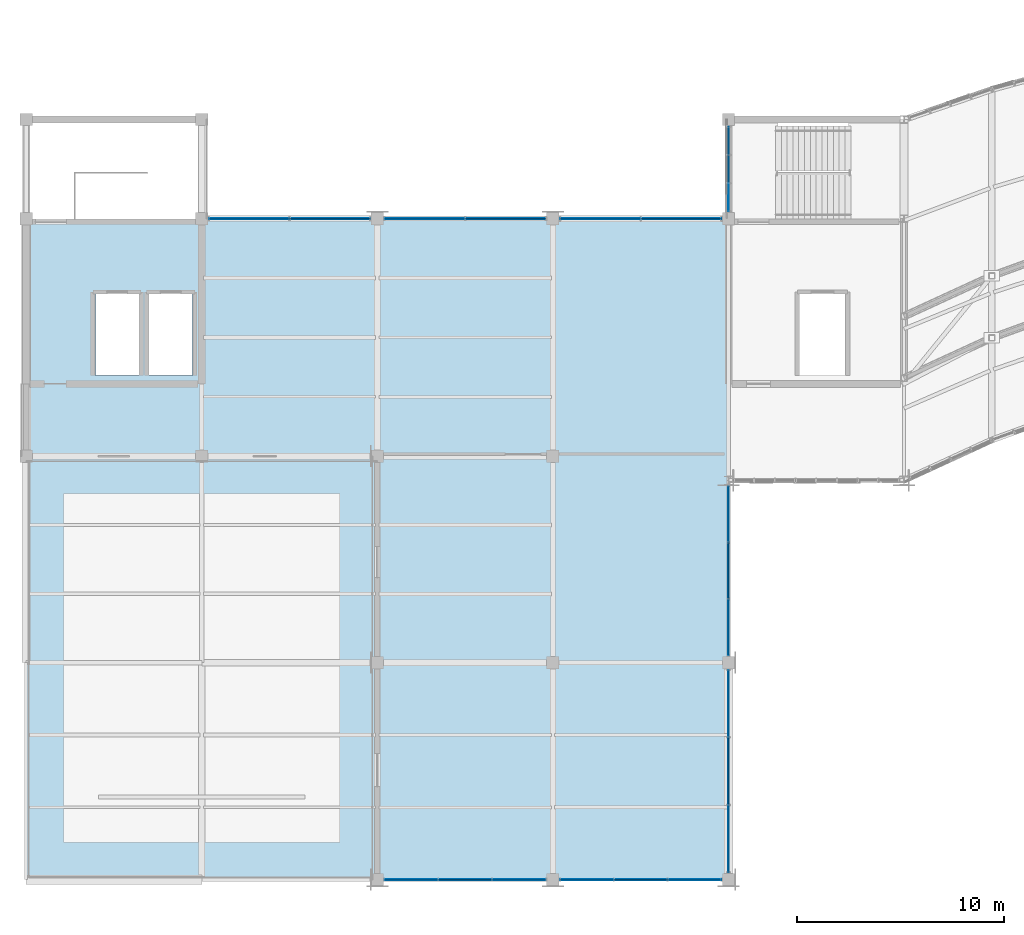
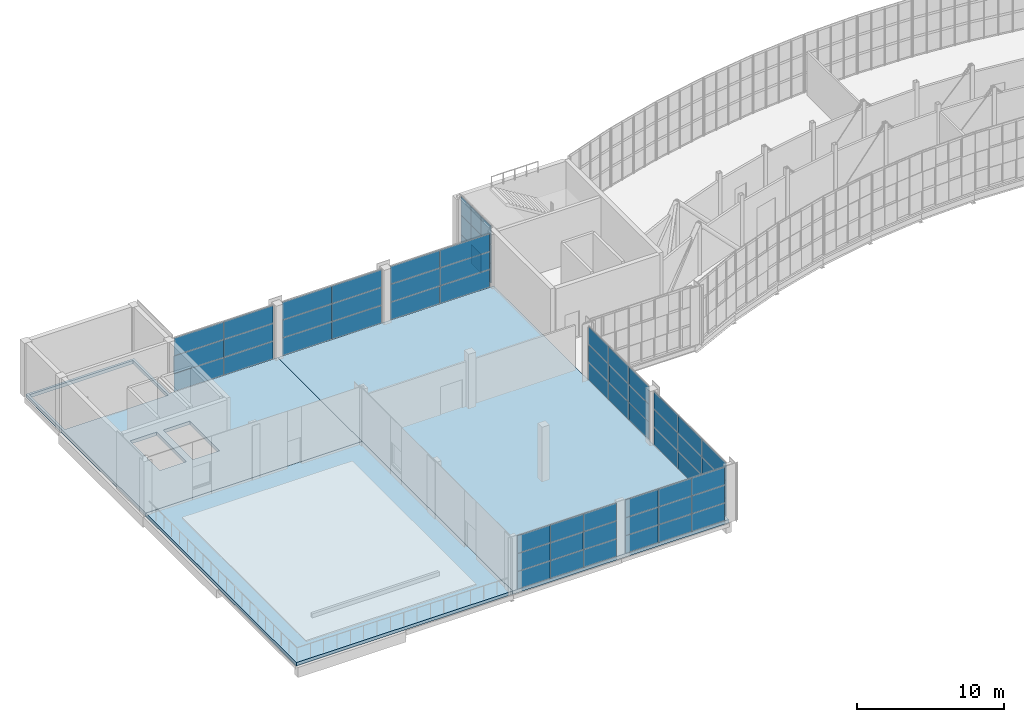
# One storey, part 33 of 46: 63 plates, 3 slabs, 8 elements without a shape of their own.
"""IFC4 building model written with IfcOpenShell, lengths in metres."""

from ifc_helpers import new_model, si_unit, direction, frame, origin, origin_2d, place, context, subcontext, project, spatial, polyline, rectangle, outline, extrude, material, layer, layer_set, type_object, element, aggregate, save


model = new_model("IFC4")

# Units and contexts
model_context = context("Model", 3, precision=1e-05, world=origin(), true_north=direction((0.0, 1.0)))
body_context = subcontext(model_context, "Body", "Model", "MODEL_VIEW")
ifc_project = project(units=[si_unit("LENGTHUNIT", "METRE"), si_unit("AREAUNIT", "SQUARE_METRE"), si_unit("VOLUMEUNIT", "CUBIC_METRE"), si_unit("PLANEANGLEUNIT", "RADIAN"), si_unit("MASSUNIT", "GRAM", prefix="KILO")], contexts=[model_context])

# Site, building, storey
site_placement = place(None, origin())
site = spatial("IfcSite", under=ifc_project, at=site_placement, CompositionType="ELEMENT")
building_placement = place(site_placement, origin())
building = spatial("IfcBuilding", under=site, at=building_placement, Name="Solvikara Media Centre", CompositionType="ELEMENT")
storey_placement = place(building_placement, frame((0.0, 0.0, 24.60009765625)))
storey = spatial("IfcBuildingStorey", under=building, at=storey_placement, Name="L05", CompositionType="ELEMENT", Elevation=24.60009765625)

# Curtain wall, plates
ifc_material_1 = material(Name="Anodised aluminium EN AW-6063", Category="aluminium")
curtain_wall_type_1 = type_object("IfcCurtainWallType", Name="CW-10", PredefinedType="NOTDEFINED", material=ifc_material_1)
curtain_wall_1_placement = place(storey_placement, origin())
curtain_wall_1 = element("IfcCurtainWall", 1, at=curtain_wall_1_placement, inside=storey, type_object=curtain_wall_type_1, Name="CW-L05-BHWN", PredefinedType="NOTDEFINED")
ifc_material_2 = material(Name="Laminated solar-control cyan vision glass", Category="glass")
ifc_layer_1 = layer(ifc_material_2, 0.035888671875)
ifc_layer_set_1 = layer_set([ifc_layer_1], Name="Laminated solar-control cyan vision glass")
plate_type_1 = type_object("IfcPlateType", Name="PN-01", PredefinedType="CURTAIN_PANEL", material=ifc_layer_set_1)
plate_1_placement = place(storey_placement, frame((68.0, 33.027099609375, 3.20849609375), z_axis=(0.0, 0.0, 1.0), x_axis=(0.0, 1.0, 0.0)))
plate_1 = element("IfcPlate", 2, at=plate_1_placement, type_object=plate_type_1, Name="CW-L05-BHWN-P0002", PredefinedType="CURTAIN_PANEL", context=body_context, shape_type="SweptSolid", body=[
    extrude(rectangle(XDim=1.343017578125, YDim=0.035888671875, at=origin_2d()), origin(), (0.0, 0.0, 1.0), 1.556884765625),
])
plate_2_placement = place(storey_placement, frame((68.0, 34.39990234375, 0.03466796875), z_axis=(0.0, 0.0, 1.0), x_axis=(0.0, 1.0, 0.0)))
plate_2 = element("IfcPlate", 3, at=plate_2_placement, type_object=plate_type_1, Name="CW-L05-BHWN-P0100", PredefinedType="CURTAIN_PANEL", context=body_context, shape_type="SweptSolid", body=[
    extrude(rectangle(XDim=1.343017578125, YDim=0.035888671875, at=origin_2d()), origin(), (0.0, 0.0, 1.0), 1.556884765625),
])
plate_3_placement = place(storey_placement, frame((68.0, 34.39990234375, 3.20849609375), z_axis=(0.0, 0.0, 1.0), x_axis=(0.0, 1.0, 0.0)))
plate_3 = element("IfcPlate", 4, at=plate_3_placement, type_object=plate_type_1, Name="CW-L05-BHWN-P0102", PredefinedType="CURTAIN_PANEL", context=body_context, shape_type="SweptSolid", body=[
    extrude(rectangle(XDim=1.343017578125, YDim=0.035888671875, at=origin_2d()), origin(), (0.0, 0.0, 1.0), 1.556884765625),
])
plate_4_placement = place(storey_placement, frame((68.0, 35.77294921875, 1.62158203125), z_axis=(0.0, 0.0, 1.0), x_axis=(0.0, 1.0, 0.0)))
plate_4 = element("IfcPlate", 5, at=plate_4_placement, type_object=plate_type_1, Name="CW-L05-BHWN-P0201", PredefinedType="CURTAIN_PANEL", context=body_context, shape_type="SweptSolid", body=[
    extrude(rectangle(XDim=1.343017578125, YDim=0.035888671875, at=origin_2d()), origin(), (0.0, 0.0, 1.0), 1.556884765625),
])
plate_5_placement = place(storey_placement, frame((68.0, 35.77294921875, 3.20849609375), z_axis=(0.0, 0.0, 1.0), x_axis=(0.0, 1.0, 0.0)))
plate_5 = element("IfcPlate", 6, at=plate_5_placement, type_object=plate_type_1, Name="CW-L05-BHWN-P0202", PredefinedType="CURTAIN_PANEL", context=body_context, shape_type="SweptSolid", body=[
    extrude(rectangle(XDim=1.343017578125, YDim=0.035888671875, at=origin_2d()), origin(), (0.0, 0.0, 1.0), 1.556884765625),
])
ifc_material_3 = material(Name="Ceramic-fritted teal low-E glass", Category="glass")
ifc_layer_2 = layer(ifc_material_3, 0.0419921875)
ifc_layer_set_2 = layer_set([ifc_layer_2], Name="Ceramic-fritted teal low-E glass")
plate_type_2 = type_object("IfcPlateType", Name="PN-02", PredefinedType="CURTAIN_PANEL", material=ifc_layer_set_2)
plate_6_placement = place(storey_placement, frame((68.0, 33.027099609375, 0.03466796875), z_axis=(0.0, 0.0, 1.0), x_axis=(0.0, 1.0, 0.0)))
plate_6 = element("IfcPlate", 7, at=plate_6_placement, type_object=plate_type_2, Name="CW-L05-BHWN-P0000", PredefinedType="CURTAIN_PANEL", context=body_context, shape_type="SweptSolid", body=[
    extrude(rectangle(XDim=1.343017578125, YDim=0.0419921875, at=origin_2d()), origin(), (0.0, 0.0, 1.0), 1.556884765625),
])
plate_7_placement = place(storey_placement, frame((68.0, 33.027099609375, 1.62158203125), z_axis=(0.0, 0.0, 1.0), x_axis=(0.0, 1.0, 0.0)))
plate_7 = element("IfcPlate", 8, at=plate_7_placement, type_object=plate_type_2, Name="CW-L05-BHWN-P0001", PredefinedType="CURTAIN_PANEL", context=body_context, shape_type="SweptSolid", body=[
    extrude(rectangle(XDim=1.343017578125, YDim=0.0419921875, at=origin_2d()), origin(), (0.0, 0.0, 1.0), 1.556884765625),
])
ifc_material_4 = material(Name="Insulated silver-pearl glass spandrel panel", Category="glass")
ifc_layer_3 = layer(ifc_material_4, 0.054931640625)
ifc_layer_set_3 = layer_set([ifc_layer_3], Name="Insulated silver-pearl glass spandrel panel")
plate_type_3 = type_object("IfcPlateType", Name="PN-03", PredefinedType="CURTAIN_PANEL", material=ifc_layer_set_3)
plate_8_placement = place(storey_placement, frame((68.0, 34.39990234375, 1.62158203125), z_axis=(0.0, 0.0, 1.0), x_axis=(0.0, 1.0, 0.0)))
plate_8 = element("IfcPlate", 9, at=plate_8_placement, type_object=plate_type_3, Name="CW-L05-BHWN-P0101", PredefinedType="CURTAIN_PANEL", context=body_context, shape_type="SweptSolid", body=[
    extrude(rectangle(XDim=1.343017578125, YDim=0.054931640625, at=origin_2d()), origin(), (0.0, 0.0, 1.0), 1.556884765625),
])
plate_9_placement = place(storey_placement, frame((68.0, 35.77294921875, 0.03466796875), z_axis=(0.0, 0.0, 1.0), x_axis=(0.0, 1.0, 0.0)))
plate_9 = element("IfcPlate", 10, at=plate_9_placement, type_object=plate_type_3, Name="CW-L05-BHWN-P0200", PredefinedType="CURTAIN_PANEL", context=body_context, shape_type="SweptSolid", body=[
    extrude(rectangle(XDim=1.343017578125, YDim=0.054931640625, at=origin_2d()), origin(), (0.0, 0.0, 1.0), 1.556884765625),
])
aggregate(curtain_wall_1, [plate_6, plate_7, plate_1, plate_2, plate_8, plate_3, plate_9, plate_4, plate_5])

curtain_wall_type_2 = type_object("IfcCurtainWallType", Name="CW-09", PredefinedType="NOTDEFINED", material=ifc_material_1)
curtain_wall_2_placement = place(storey_placement, origin())
curtain_wall_2 = element("IfcCurtainWall", 11, at=curtain_wall_2_placement, inside=storey, type_object=curtain_wall_type_2, Name="CW-L05-V6S-S1", PredefinedType="NOTDEFINED")
ifc_layer_4 = layer(ifc_material_3, 0.0380859375)
ifc_layer_set_4 = layer_set([ifc_layer_4], Name="Ceramic-fritted teal low-E glass")
plate_type_4 = type_object("IfcPlateType", Name="PN-08", PredefinedType="CURTAIN_PANEL", material=ifc_layer_set_4)
plate_10_placement = place(storey_placement, frame((52.64306640625, 0.0, 0.034423828125), z_axis=(0.0, 0.0, 1.0), x_axis=(1.0, 0.0, 0.0)))
plate_10 = element("IfcPlate", 12, at=plate_10_placement, type_object=plate_type_4, Name="CW-L05-V6S-S1-P0000", PredefinedType="CURTAIN_PANEL", context=body_context, shape_type="SweptSolid", body=[
    extrude(rectangle(XDim=2.576904296875, YDim=0.0380859375, at=origin_2d()), origin(), (0.0, 0.0, 1.0), 1.45703125),
])
plate_11_placement = place(storey_placement, frame((52.64306640625, 0.0, 3.00830078125), z_axis=(0.0, 0.0, 1.0), x_axis=(1.0, 0.0, 0.0)))
plate_11 = element("IfcPlate", 13, at=plate_11_placement, type_object=plate_type_4, Name="CW-L05-V6S-S1-P0002", PredefinedType="CURTAIN_PANEL", context=body_context, shape_type="SweptSolid", body=[
    extrude(rectangle(XDim=2.576904296875, YDim=0.0380859375, at=origin_2d()), origin(), (0.0, 0.0, 1.0), 1.45703125),
])
plate_12_placement = place(storey_placement, frame((55.25, 0.0, 1.521484375), z_axis=(0.0, 0.0, 1.0), x_axis=(1.0, 0.0, 0.0)))
plate_12 = element("IfcPlate", 14, at=plate_12_placement, type_object=plate_type_4, Name="CW-L05-V6S-S1-P0101", PredefinedType="CURTAIN_PANEL", context=body_context, shape_type="SweptSolid", body=[
    extrude(rectangle(XDim=2.576904296875, YDim=0.0380859375, at=origin_2d()), origin(), (0.0, 0.0, 1.0), 1.45703125),
])
plate_13_placement = place(storey_placement, frame((57.85693359375, 0.0, 0.034423828125), z_axis=(0.0, 0.0, 1.0), x_axis=(1.0, 0.0, 0.0)))
plate_13 = element("IfcPlate", 15, at=plate_13_placement, type_object=plate_type_4, Name="CW-L05-V6S-S1-P0200", PredefinedType="CURTAIN_PANEL", context=body_context, shape_type="SweptSolid", body=[
    extrude(rectangle(XDim=2.576904296875, YDim=0.0380859375, at=origin_2d()), origin(), (0.0, 0.0, 1.0), 1.45703125),
])
plate_14_placement = place(storey_placement, frame((57.85693359375, 0.0, 3.00830078125), z_axis=(0.0, 0.0, 1.0), x_axis=(1.0, 0.0, 0.0)))
plate_14 = element("IfcPlate", 16, at=plate_14_placement, type_object=plate_type_4, Name="CW-L05-V6S-S1-P0202", PredefinedType="CURTAIN_PANEL", context=body_context, shape_type="SweptSolid", body=[
    extrude(rectangle(XDim=2.576904296875, YDim=0.0380859375, at=origin_2d()), origin(), (0.0, 0.0, 1.0), 1.45703125),
])

curtain_wall_3_placement = place(storey_placement, origin())
curtain_wall_3 = element("IfcCurtainWall", 17, at=curtain_wall_3_placement, inside=storey, type_object=curtain_wall_type_2, Name="CW-L05-V6S-S2", PredefinedType="NOTDEFINED")
plate_15_placement = place(storey_placement, frame((61.14306640625, 0.0, 0.034423828125), z_axis=(0.0, 0.0, 1.0), x_axis=(1.0, 0.0, 0.0)))
plate_15 = element("IfcPlate", 18, at=plate_15_placement, type_object=plate_type_4, Name="CW-L05-V6S-S2-P0000", PredefinedType="CURTAIN_PANEL", context=body_context, shape_type="SweptSolid", body=[
    extrude(rectangle(XDim=2.576904296875, YDim=0.0380859375, at=origin_2d()), origin(), (0.0, 0.0, 1.0), 1.45703125),
])
plate_16_placement = place(storey_placement, frame((61.14306640625, 0.0, 3.00830078125), z_axis=(0.0, 0.0, 1.0), x_axis=(1.0, 0.0, 0.0)))
plate_16 = element("IfcPlate", 19, at=plate_16_placement, type_object=plate_type_4, Name="CW-L05-V6S-S2-P0002", PredefinedType="CURTAIN_PANEL", context=body_context, shape_type="SweptSolid", body=[
    extrude(rectangle(XDim=2.576904296875, YDim=0.0380859375, at=origin_2d()), origin(), (0.0, 0.0, 1.0), 1.45703125),
])
plate_17_placement = place(storey_placement, frame((63.75, 0.0, 1.521484375), z_axis=(0.0, 0.0, 1.0), x_axis=(1.0, 0.0, 0.0)))
plate_17 = element("IfcPlate", 20, at=plate_17_placement, type_object=plate_type_4, Name="CW-L05-V6S-S2-P0101", PredefinedType="CURTAIN_PANEL", context=body_context, shape_type="SweptSolid", body=[
    extrude(rectangle(XDim=2.576904296875, YDim=0.0380859375, at=origin_2d()), origin(), (0.0, 0.0, 1.0), 1.45703125),
])
plate_18_placement = place(storey_placement, frame((66.35693359375, 0.0, 0.034423828125), z_axis=(0.0, 0.0, 1.0), x_axis=(1.0, 0.0, 0.0)))
plate_18 = element("IfcPlate", 21, at=plate_18_placement, type_object=plate_type_4, Name="CW-L05-V6S-S2-P0200", PredefinedType="CURTAIN_PANEL", context=body_context, shape_type="SweptSolid", body=[
    extrude(rectangle(XDim=2.576904296875, YDim=0.0380859375, at=origin_2d()), origin(), (0.0, 0.0, 1.0), 1.45703125),
])
plate_19_placement = place(storey_placement, frame((66.35693359375, 0.0, 3.00830078125), z_axis=(0.0, 0.0, 1.0), x_axis=(1.0, 0.0, 0.0)))
plate_19 = element("IfcPlate", 22, at=plate_19_placement, type_object=plate_type_4, Name="CW-L05-V6S-S2-P0202", PredefinedType="CURTAIN_PANEL", context=body_context, shape_type="SweptSolid", body=[
    extrude(rectangle(XDim=2.576904296875, YDim=0.0380859375, at=origin_2d()), origin(), (0.0, 0.0, 1.0), 1.45703125),
])

curtain_wall_4_placement = place(storey_placement, origin())
curtain_wall_4 = element("IfcCurtainWall", 23, at=curtain_wall_4_placement, inside=storey, type_object=curtain_wall_type_2, Name="CW-L05-V6E-S1", PredefinedType="NOTDEFINED")
plate_20_placement = place(storey_placement, frame((68.0, 1.97705078125, 0.034423828125), z_axis=(0.0, 0.0, 1.0), x_axis=(0.0, 1.0, 0.0)))
plate_20 = element("IfcPlate", 24, at=plate_20_placement, type_object=plate_type_4, Name="CW-L05-V6E-S1-P0000", PredefinedType="CURTAIN_PANEL", context=body_context, shape_type="SweptSolid", body=[
    extrude(rectangle(XDim=3.242919921875, YDim=0.0380859375, at=origin_2d()), origin(), (0.0, 0.0, 1.0), 1.45703125),
])
plate_21_placement = place(storey_placement, frame((68.0, 1.97705078125, 3.00830078125), z_axis=(0.0, 0.0, 1.0), x_axis=(0.0, 1.0, 0.0)))
plate_21 = element("IfcPlate", 25, at=plate_21_placement, type_object=plate_type_4, Name="CW-L05-V6E-S1-P0002", PredefinedType="CURTAIN_PANEL", context=body_context, shape_type="SweptSolid", body=[
    extrude(rectangle(XDim=3.242919921875, YDim=0.0380859375, at=origin_2d()), origin(), (0.0, 0.0, 1.0), 1.45703125),
])
plate_22_placement = place(storey_placement, frame((68.0, 5.25, 1.521484375), z_axis=(0.0, 0.0, 1.0), x_axis=(0.0, 1.0, 0.0)))
plate_22 = element("IfcPlate", 26, at=plate_22_placement, type_object=plate_type_4, Name="CW-L05-V6E-S1-P0101", PredefinedType="CURTAIN_PANEL", context=body_context, shape_type="SweptSolid", body=[
    extrude(rectangle(XDim=3.242919921875, YDim=0.0380859375, at=origin_2d()), origin(), (0.0, 0.0, 1.0), 1.45703125),
])
plate_23_placement = place(storey_placement, frame((68.0, 8.52294921875, 0.034423828125), z_axis=(0.0, 0.0, 1.0), x_axis=(0.0, 1.0, 0.0)))
plate_23 = element("IfcPlate", 27, at=plate_23_placement, type_object=plate_type_4, Name="CW-L05-V6E-S1-P0200", PredefinedType="CURTAIN_PANEL", context=body_context, shape_type="SweptSolid", body=[
    extrude(rectangle(XDim=3.242919921875, YDim=0.0380859375, at=origin_2d()), origin(), (0.0, 0.0, 1.0), 1.45703125),
])
plate_24_placement = place(storey_placement, frame((68.0, 8.52294921875, 3.00830078125), z_axis=(0.0, 0.0, 1.0), x_axis=(0.0, 1.0, 0.0)))
plate_24 = element("IfcPlate", 28, at=plate_24_placement, type_object=plate_type_4, Name="CW-L05-V6E-S1-P0202", PredefinedType="CURTAIN_PANEL", context=body_context, shape_type="SweptSolid", body=[
    extrude(rectangle(XDim=3.242919921875, YDim=0.0380859375, at=origin_2d()), origin(), (0.0, 0.0, 1.0), 1.45703125),
])

curtain_wall_5_placement = place(storey_placement, origin())
curtain_wall_5 = element("IfcCurtainWall", 29, at=curtain_wall_5_placement, inside=storey, type_object=curtain_wall_type_2, Name="CW-L05-V6E-S2", PredefinedType="NOTDEFINED")
plate_25_placement = place(storey_placement, frame((68.0, 12.2119140625, 0.034423828125), z_axis=(0.0, 0.0, 1.0), x_axis=(0.0, 1.0, 0.0)))
plate_25 = element("IfcPlate", 30, at=plate_25_placement, type_object=plate_type_4, Name="CW-L05-V6E-S2-P0000", PredefinedType="CURTAIN_PANEL", context=body_context, shape_type="SweptSolid", body=[
    extrude(rectangle(XDim=2.712890625, YDim=0.0380859375, at=origin_2d()), origin(), (0.0, 0.0, 1.0), 1.45703125),
])
plate_26_placement = place(storey_placement, frame((68.0, 12.2119140625, 3.00830078125), z_axis=(0.0, 0.0, 1.0), x_axis=(0.0, 1.0, 0.0)))
plate_26 = element("IfcPlate", 31, at=plate_26_placement, type_object=plate_type_4, Name="CW-L05-V6E-S2-P0002", PredefinedType="CURTAIN_PANEL", context=body_context, shape_type="SweptSolid", body=[
    extrude(rectangle(XDim=2.712890625, YDim=0.0380859375, at=origin_2d()), origin(), (0.0, 0.0, 1.0), 1.45703125),
])
plate_27_placement = place(storey_placement, frame((68.0, 14.955078125, 1.521484375), z_axis=(0.0, 0.0, 1.0), x_axis=(0.0, 1.0, 0.0)))
plate_27 = element("IfcPlate", 32, at=plate_27_placement, type_object=plate_type_4, Name="CW-L05-V6E-S2-P0101", PredefinedType="CURTAIN_PANEL", context=body_context, shape_type="SweptSolid", body=[
    extrude(rectangle(XDim=2.712890625, YDim=0.0380859375, at=origin_2d()), origin(), (0.0, 0.0, 1.0), 1.45703125),
])
plate_28_placement = place(storey_placement, frame((68.0, 17.697998046875, 0.034423828125), z_axis=(0.0, 0.0, 1.0), x_axis=(0.0, 1.0, 0.0)))
plate_28 = element("IfcPlate", 33, at=plate_28_placement, type_object=plate_type_4, Name="CW-L05-V6E-S2-P0200", PredefinedType="CURTAIN_PANEL", context=body_context, shape_type="SweptSolid", body=[
    extrude(rectangle(XDim=2.712890625, YDim=0.0380859375, at=origin_2d()), origin(), (0.0, 0.0, 1.0), 1.45703125),
])
plate_29_placement = place(storey_placement, frame((68.0, 17.697998046875, 3.00830078125), z_axis=(0.0, 0.0, 1.0), x_axis=(0.0, 1.0, 0.0)))
plate_29 = element("IfcPlate", 34, at=plate_29_placement, type_object=plate_type_4, Name="CW-L05-V6E-S2-P0202", PredefinedType="CURTAIN_PANEL", context=body_context, shape_type="SweptSolid", body=[
    extrude(rectangle(XDim=2.712890625, YDim=0.0380859375, at=origin_2d()), origin(), (0.0, 0.0, 1.0), 1.45703125),
])

curtain_wall_6_placement = place(storey_placement, origin())
curtain_wall_6 = element("IfcCurtainWall", 35, at=curtain_wall_6_placement, inside=storey, type_object=curtain_wall_type_2, Name="CW-L05-V6N-S1", PredefinedType="NOTDEFINED")
plate_30_placement = place(storey_placement, frame((44.794921875, 32.0, 0.034423828125), z_axis=(0.0, 0.0, 1.0), x_axis=(1.0, 0.0, 0.0)))
plate_30 = element("IfcPlate", 36, at=plate_30_placement, type_object=plate_type_4, Name="CW-L05-V6N-S1-P0000", PredefinedType="CURTAIN_PANEL", context=body_context, shape_type="SweptSolid", body=[
    extrude(rectangle(XDim=3.8798828125, YDim=0.0380859375, at=origin_2d()), origin(), (0.0, 0.0, 1.0), 1.45703125),
])
plate_31_placement = place(storey_placement, frame((44.794921875, 32.0, 3.00830078125), z_axis=(0.0, 0.0, 1.0), x_axis=(1.0, 0.0, 0.0)))
plate_31 = element("IfcPlate", 37, at=plate_31_placement, type_object=plate_type_4, Name="CW-L05-V6N-S1-P0002", PredefinedType="CURTAIN_PANEL", context=body_context, shape_type="SweptSolid", body=[
    extrude(rectangle(XDim=3.8798828125, YDim=0.0380859375, at=origin_2d()), origin(), (0.0, 0.0, 1.0), 1.45703125),
])
plate_32_placement = place(storey_placement, frame((48.705078125, 32.0, 1.521484375), z_axis=(0.0, 0.0, 1.0), x_axis=(1.0, 0.0, 0.0)))
plate_32 = element("IfcPlate", 38, at=plate_32_placement, type_object=plate_type_4, Name="CW-L05-V6N-S1-P0101", PredefinedType="CURTAIN_PANEL", context=body_context, shape_type="SweptSolid", body=[
    extrude(rectangle(XDim=3.8798828125, YDim=0.0380859375, at=origin_2d()), origin(), (0.0, 0.0, 1.0), 1.45703125),
])

curtain_wall_7_placement = place(storey_placement, origin())
curtain_wall_7 = element("IfcCurtainWall", 39, at=curtain_wall_7_placement, inside=storey, type_object=curtain_wall_type_2, Name="CW-L05-V6N-S2", PredefinedType="NOTDEFINED")
plate_33_placement = place(storey_placement, frame((53.294921875, 32.0, 0.034423828125), z_axis=(0.0, 0.0, 1.0), x_axis=(1.0, 0.0, 0.0)))
plate_33 = element("IfcPlate", 40, at=plate_33_placement, type_object=plate_type_4, Name="CW-L05-V6N-S2-P0000", PredefinedType="CURTAIN_PANEL", context=body_context, shape_type="SweptSolid", body=[
    extrude(rectangle(XDim=3.8798828125, YDim=0.0380859375, at=origin_2d()), origin(), (0.0, 0.0, 1.0), 1.45703125),
])
plate_34_placement = place(storey_placement, frame((53.294921875, 32.0, 3.00830078125), z_axis=(0.0, 0.0, 1.0), x_axis=(1.0, 0.0, 0.0)))
plate_34 = element("IfcPlate", 41, at=plate_34_placement, type_object=plate_type_4, Name="CW-L05-V6N-S2-P0002", PredefinedType="CURTAIN_PANEL", context=body_context, shape_type="SweptSolid", body=[
    extrude(rectangle(XDim=3.8798828125, YDim=0.0380859375, at=origin_2d()), origin(), (0.0, 0.0, 1.0), 1.45703125),
])
plate_35_placement = place(storey_placement, frame((57.205078125, 32.0, 1.521484375), z_axis=(0.0, 0.0, 1.0), x_axis=(1.0, 0.0, 0.0)))
plate_35 = element("IfcPlate", 42, at=plate_35_placement, type_object=plate_type_4, Name="CW-L05-V6N-S2-P0101", PredefinedType="CURTAIN_PANEL", context=body_context, shape_type="SweptSolid", body=[
    extrude(rectangle(XDim=3.8798828125, YDim=0.0380859375, at=origin_2d()), origin(), (0.0, 0.0, 1.0), 1.45703125),
])

curtain_wall_8_placement = place(storey_placement, origin())
curtain_wall_8 = element("IfcCurtainWall", 43, at=curtain_wall_8_placement, inside=storey, type_object=curtain_wall_type_2, Name="CW-L05-V6N-S3", PredefinedType="NOTDEFINED")
plate_36_placement = place(storey_placement, frame((61.794921875, 32.0, 0.034423828125), z_axis=(0.0, 0.0, 1.0), x_axis=(1.0, 0.0, 0.0)))
plate_36 = element("IfcPlate", 44, at=plate_36_placement, type_object=plate_type_4, Name="CW-L05-V6N-S3-P0000", PredefinedType="CURTAIN_PANEL", context=body_context, shape_type="SweptSolid", body=[
    extrude(rectangle(XDim=3.8798828125, YDim=0.0380859375, at=origin_2d()), origin(), (0.0, 0.0, 1.0), 1.45703125),
])
plate_37_placement = place(storey_placement, frame((61.794921875, 32.0, 3.00830078125), z_axis=(0.0, 0.0, 1.0), x_axis=(1.0, 0.0, 0.0)))
plate_37 = element("IfcPlate", 45, at=plate_37_placement, type_object=plate_type_4, Name="CW-L05-V6N-S3-P0002", PredefinedType="CURTAIN_PANEL", context=body_context, shape_type="SweptSolid", body=[
    extrude(rectangle(XDim=3.8798828125, YDim=0.0380859375, at=origin_2d()), origin(), (0.0, 0.0, 1.0), 1.45703125),
])
plate_38_placement = place(storey_placement, frame((65.705078125, 32.0, 1.521484375), z_axis=(0.0, 0.0, 1.0), x_axis=(1.0, 0.0, 0.0)))
plate_38 = element("IfcPlate", 46, at=plate_38_placement, type_object=plate_type_4, Name="CW-L05-V6N-S3-P0101", PredefinedType="CURTAIN_PANEL", context=body_context, shape_type="SweptSolid", body=[
    extrude(rectangle(XDim=3.8798828125, YDim=0.0380859375, at=origin_2d()), origin(), (0.0, 0.0, 1.0), 1.45703125),
])

# Plate
ifc_layer_5 = layer(ifc_material_4, 0.054931640625)
ifc_layer_set_5 = layer_set([ifc_layer_5], Name="Insulated silver-pearl glass spandrel panel")
plate_type_5 = type_object("IfcPlateType", Name="PN-09", PredefinedType="CURTAIN_PANEL", material=ifc_layer_set_5)
plate_39_placement = place(storey_placement, frame((52.64306640625, 0.0, 1.521484375), z_axis=(0.0, 0.0, 1.0), x_axis=(1.0, 0.0, 0.0)))
plate_39 = element("IfcPlate", 47, at=plate_39_placement, type_object=plate_type_5, Name="CW-L05-V6S-S1-P0001", PredefinedType="CURTAIN_PANEL", context=body_context, shape_type="SweptSolid", body=[
    extrude(rectangle(XDim=2.576904296875, YDim=0.054931640625, at=origin_2d()), origin(), (0.0, 0.0, 1.0), 1.45703125),
])

plate_40_placement = place(storey_placement, frame((55.25, 0.0, 0.034423828125), z_axis=(0.0, 0.0, 1.0), x_axis=(1.0, 0.0, 0.0)))
plate_40 = element("IfcPlate", 48, at=plate_40_placement, type_object=plate_type_5, Name="CW-L05-V6S-S1-P0100", PredefinedType="CURTAIN_PANEL", context=body_context, shape_type="SweptSolid", body=[
    extrude(rectangle(XDim=2.576904296875, YDim=0.054931640625, at=origin_2d()), origin(), (0.0, 0.0, 1.0), 1.45703125),
])

plate_41_placement = place(storey_placement, frame((55.25, 0.0, 3.00830078125), z_axis=(0.0, 0.0, 1.0), x_axis=(1.0, 0.0, 0.0)))
plate_41 = element("IfcPlate", 49, at=plate_41_placement, type_object=plate_type_5, Name="CW-L05-V6S-S1-P0102", PredefinedType="CURTAIN_PANEL", context=body_context, shape_type="SweptSolid", body=[
    extrude(rectangle(XDim=2.576904296875, YDim=0.054931640625, at=origin_2d()), origin(), (0.0, 0.0, 1.0), 1.45703125),
])

plate_42_placement = place(storey_placement, frame((57.85693359375, 0.0, 1.521484375), z_axis=(0.0, 0.0, 1.0), x_axis=(1.0, 0.0, 0.0)))
plate_42 = element("IfcPlate", 50, at=plate_42_placement, type_object=plate_type_5, Name="CW-L05-V6S-S1-P0201", PredefinedType="CURTAIN_PANEL", context=body_context, shape_type="SweptSolid", body=[
    extrude(rectangle(XDim=2.576904296875, YDim=0.054931640625, at=origin_2d()), origin(), (0.0, 0.0, 1.0), 1.45703125),
])

aggregate(curtain_wall_2, [plate_10, plate_39, plate_11, plate_40, plate_12, plate_41, plate_13, plate_42, plate_14])

plate_43_placement = place(storey_placement, frame((61.14306640625, 0.0, 1.521484375), z_axis=(0.0, 0.0, 1.0), x_axis=(1.0, 0.0, 0.0)))
plate_43 = element("IfcPlate", 51, at=plate_43_placement, type_object=plate_type_5, Name="CW-L05-V6S-S2-P0001", PredefinedType="CURTAIN_PANEL", context=body_context, shape_type="SweptSolid", body=[
    extrude(rectangle(XDim=2.576904296875, YDim=0.054931640625, at=origin_2d()), origin(), (0.0, 0.0, 1.0), 1.45703125),
])

plate_44_placement = place(storey_placement, frame((63.75, 0.0, 0.034423828125), z_axis=(0.0, 0.0, 1.0), x_axis=(1.0, 0.0, 0.0)))
plate_44 = element("IfcPlate", 52, at=plate_44_placement, type_object=plate_type_5, Name="CW-L05-V6S-S2-P0100", PredefinedType="CURTAIN_PANEL", context=body_context, shape_type="SweptSolid", body=[
    extrude(rectangle(XDim=2.576904296875, YDim=0.054931640625, at=origin_2d()), origin(), (0.0, 0.0, 1.0), 1.45703125),
])

plate_45_placement = place(storey_placement, frame((63.75, 0.0, 3.00830078125), z_axis=(0.0, 0.0, 1.0), x_axis=(1.0, 0.0, 0.0)))
plate_45 = element("IfcPlate", 53, at=plate_45_placement, type_object=plate_type_5, Name="CW-L05-V6S-S2-P0102", PredefinedType="CURTAIN_PANEL", context=body_context, shape_type="SweptSolid", body=[
    extrude(rectangle(XDim=2.576904296875, YDim=0.054931640625, at=origin_2d()), origin(), (0.0, 0.0, 1.0), 1.45703125),
])

plate_46_placement = place(storey_placement, frame((66.35693359375, 0.0, 1.521484375), z_axis=(0.0, 0.0, 1.0), x_axis=(1.0, 0.0, 0.0)))
plate_46 = element("IfcPlate", 54, at=plate_46_placement, type_object=plate_type_5, Name="CW-L05-V6S-S2-P0201", PredefinedType="CURTAIN_PANEL", context=body_context, shape_type="SweptSolid", body=[
    extrude(rectangle(XDim=2.576904296875, YDim=0.054931640625, at=origin_2d()), origin(), (0.0, 0.0, 1.0), 1.45703125),
])

aggregate(curtain_wall_3, [plate_15, plate_43, plate_16, plate_44, plate_17, plate_45, plate_18, plate_46, plate_19])

plate_47_placement = place(storey_placement, frame((68.0, 1.97705078125, 1.521484375), z_axis=(0.0, 0.0, 1.0), x_axis=(0.0, 1.0, 0.0)))
plate_47 = element("IfcPlate", 55, at=plate_47_placement, type_object=plate_type_5, Name="CW-L05-V6E-S1-P0001", PredefinedType="CURTAIN_PANEL", context=body_context, shape_type="SweptSolid", body=[
    extrude(rectangle(XDim=3.242919921875, YDim=0.054931640625, at=origin_2d()), origin(), (0.0, 0.0, 1.0), 1.45703125),
])

plate_48_placement = place(storey_placement, frame((68.0, 5.25, 0.034423828125), z_axis=(0.0, 0.0, 1.0), x_axis=(0.0, 1.0, 0.0)))
plate_48 = element("IfcPlate", 56, at=plate_48_placement, type_object=plate_type_5, Name="CW-L05-V6E-S1-P0100", PredefinedType="CURTAIN_PANEL", context=body_context, shape_type="SweptSolid", body=[
    extrude(rectangle(XDim=3.242919921875, YDim=0.054931640625, at=origin_2d()), origin(), (0.0, 0.0, 1.0), 1.45703125),
])

plate_49_placement = place(storey_placement, frame((68.0, 5.25, 3.00830078125), z_axis=(0.0, 0.0, 1.0), x_axis=(0.0, 1.0, 0.0)))
plate_49 = element("IfcPlate", 57, at=plate_49_placement, type_object=plate_type_5, Name="CW-L05-V6E-S1-P0102", PredefinedType="CURTAIN_PANEL", context=body_context, shape_type="SweptSolid", body=[
    extrude(rectangle(XDim=3.242919921875, YDim=0.054931640625, at=origin_2d()), origin(), (0.0, 0.0, 1.0), 1.45703125),
])

plate_50_placement = place(storey_placement, frame((68.0, 8.52294921875, 1.521484375), z_axis=(0.0, 0.0, 1.0), x_axis=(0.0, 1.0, 0.0)))
plate_50 = element("IfcPlate", 58, at=plate_50_placement, type_object=plate_type_5, Name="CW-L05-V6E-S1-P0201", PredefinedType="CURTAIN_PANEL", context=body_context, shape_type="SweptSolid", body=[
    extrude(rectangle(XDim=3.242919921875, YDim=0.054931640625, at=origin_2d()), origin(), (0.0, 0.0, 1.0), 1.45703125),
])

aggregate(curtain_wall_4, [plate_20, plate_47, plate_21, plate_48, plate_22, plate_49, plate_23, plate_50, plate_24])

plate_51_placement = place(storey_placement, frame((68.0, 12.2119140625, 1.521484375), z_axis=(0.0, 0.0, 1.0), x_axis=(0.0, 1.0, 0.0)))
plate_51 = element("IfcPlate", 59, at=plate_51_placement, type_object=plate_type_5, Name="CW-L05-V6E-S2-P0001", PredefinedType="CURTAIN_PANEL", context=body_context, shape_type="SweptSolid", body=[
    extrude(rectangle(XDim=2.712890625, YDim=0.054931640625, at=origin_2d()), origin(), (0.0, 0.0, 1.0), 1.45703125),
])

plate_52_placement = place(storey_placement, frame((68.0, 14.955078125, 0.034423828125), z_axis=(0.0, 0.0, 1.0), x_axis=(0.0, 1.0, 0.0)))
plate_52 = element("IfcPlate", 60, at=plate_52_placement, type_object=plate_type_5, Name="CW-L05-V6E-S2-P0100", PredefinedType="CURTAIN_PANEL", context=body_context, shape_type="SweptSolid", body=[
    extrude(rectangle(XDim=2.712890625, YDim=0.054931640625, at=origin_2d()), origin(), (0.0, 0.0, 1.0), 1.45703125),
])

plate_53_placement = place(storey_placement, frame((68.0, 14.955078125, 3.00830078125), z_axis=(0.0, 0.0, 1.0), x_axis=(0.0, 1.0, 0.0)))
plate_53 = element("IfcPlate", 61, at=plate_53_placement, type_object=plate_type_5, Name="CW-L05-V6E-S2-P0102", PredefinedType="CURTAIN_PANEL", context=body_context, shape_type="SweptSolid", body=[
    extrude(rectangle(XDim=2.712890625, YDim=0.054931640625, at=origin_2d()), origin(), (0.0, 0.0, 1.0), 1.45703125),
])

plate_54_placement = place(storey_placement, frame((68.0, 17.697998046875, 1.521484375), z_axis=(0.0, 0.0, 1.0), x_axis=(0.0, 1.0, 0.0)))
plate_54 = element("IfcPlate", 62, at=plate_54_placement, type_object=plate_type_5, Name="CW-L05-V6E-S2-P0201", PredefinedType="CURTAIN_PANEL", context=body_context, shape_type="SweptSolid", body=[
    extrude(rectangle(XDim=2.712890625, YDim=0.054931640625, at=origin_2d()), origin(), (0.0, 0.0, 1.0), 1.45703125),
])

aggregate(curtain_wall_5, [plate_25, plate_51, plate_26, plate_52, plate_27, plate_53, plate_28, plate_54, plate_29])

plate_55_placement = place(storey_placement, frame((44.794921875, 32.0, 1.521484375), z_axis=(0.0, 0.0, 1.0), x_axis=(1.0, 0.0, 0.0)))
plate_55 = element("IfcPlate", 63, at=plate_55_placement, type_object=plate_type_5, Name="CW-L05-V6N-S1-P0001", PredefinedType="CURTAIN_PANEL", context=body_context, shape_type="SweptSolid", body=[
    extrude(rectangle(XDim=3.8798828125, YDim=0.054931640625, at=origin_2d()), origin(), (0.0, 0.0, 1.0), 1.45703125),
])

plate_56_placement = place(storey_placement, frame((48.705078125, 32.0, 0.034423828125), z_axis=(0.0, 0.0, 1.0), x_axis=(1.0, 0.0, 0.0)))
plate_56 = element("IfcPlate", 64, at=plate_56_placement, type_object=plate_type_5, Name="CW-L05-V6N-S1-P0100", PredefinedType="CURTAIN_PANEL", context=body_context, shape_type="SweptSolid", body=[
    extrude(rectangle(XDim=3.8798828125, YDim=0.054931640625, at=origin_2d()), origin(), (0.0, 0.0, 1.0), 1.45703125),
])

plate_57_placement = place(storey_placement, frame((48.705078125, 32.0, 3.00830078125), z_axis=(0.0, 0.0, 1.0), x_axis=(1.0, 0.0, 0.0)))
plate_57 = element("IfcPlate", 65, at=plate_57_placement, type_object=plate_type_5, Name="CW-L05-V6N-S1-P0102", PredefinedType="CURTAIN_PANEL", context=body_context, shape_type="SweptSolid", body=[
    extrude(rectangle(XDim=3.8798828125, YDim=0.054931640625, at=origin_2d()), origin(), (0.0, 0.0, 1.0), 1.45703125),
])

aggregate(curtain_wall_6, [plate_30, plate_55, plate_31, plate_56, plate_32, plate_57])

plate_58_placement = place(storey_placement, frame((53.294921875, 32.0, 1.521484375), z_axis=(0.0, 0.0, 1.0), x_axis=(1.0, 0.0, 0.0)))
plate_58 = element("IfcPlate", 66, at=plate_58_placement, type_object=plate_type_5, Name="CW-L05-V6N-S2-P0001", PredefinedType="CURTAIN_PANEL", context=body_context, shape_type="SweptSolid", body=[
    extrude(rectangle(XDim=3.8798828125, YDim=0.054931640625, at=origin_2d()), origin(), (0.0, 0.0, 1.0), 1.45703125),
])

plate_59_placement = place(storey_placement, frame((57.205078125, 32.0, 0.034423828125), z_axis=(0.0, 0.0, 1.0), x_axis=(1.0, 0.0, 0.0)))
plate_59 = element("IfcPlate", 67, at=plate_59_placement, type_object=plate_type_5, Name="CW-L05-V6N-S2-P0100", PredefinedType="CURTAIN_PANEL", context=body_context, shape_type="SweptSolid", body=[
    extrude(rectangle(XDim=3.8798828125, YDim=0.054931640625, at=origin_2d()), origin(), (0.0, 0.0, 1.0), 1.45703125),
])

plate_60_placement = place(storey_placement, frame((57.205078125, 32.0, 3.00830078125), z_axis=(0.0, 0.0, 1.0), x_axis=(1.0, 0.0, 0.0)))
plate_60 = element("IfcPlate", 68, at=plate_60_placement, type_object=plate_type_5, Name="CW-L05-V6N-S2-P0102", PredefinedType="CURTAIN_PANEL", context=body_context, shape_type="SweptSolid", body=[
    extrude(rectangle(XDim=3.8798828125, YDim=0.054931640625, at=origin_2d()), origin(), (0.0, 0.0, 1.0), 1.45703125),
])

aggregate(curtain_wall_7, [plate_33, plate_58, plate_34, plate_59, plate_35, plate_60])

plate_61_placement = place(storey_placement, frame((61.794921875, 32.0, 1.521484375), z_axis=(0.0, 0.0, 1.0), x_axis=(1.0, 0.0, 0.0)))
plate_61 = element("IfcPlate", 69, at=plate_61_placement, type_object=plate_type_5, Name="CW-L05-V6N-S3-P0001", PredefinedType="CURTAIN_PANEL", context=body_context, shape_type="SweptSolid", body=[
    extrude(rectangle(XDim=3.8798828125, YDim=0.054931640625, at=origin_2d()), origin(), (0.0, 0.0, 1.0), 1.45703125),
])

plate_62_placement = place(storey_placement, frame((65.705078125, 32.0, 0.034423828125), z_axis=(0.0, 0.0, 1.0), x_axis=(1.0, 0.0, 0.0)))
plate_62 = element("IfcPlate", 70, at=plate_62_placement, type_object=plate_type_5, Name="CW-L05-V6N-S3-P0100", PredefinedType="CURTAIN_PANEL", context=body_context, shape_type="SweptSolid", body=[
    extrude(rectangle(XDim=3.8798828125, YDim=0.054931640625, at=origin_2d()), origin(), (0.0, 0.0, 1.0), 1.45703125),
])

plate_63_placement = place(storey_placement, frame((65.705078125, 32.0, 3.00830078125), z_axis=(0.0, 0.0, 1.0), x_axis=(1.0, 0.0, 0.0)))
plate_63 = element("IfcPlate", 71, at=plate_63_placement, type_object=plate_type_5, Name="CW-L05-V6N-S3-P0102", PredefinedType="CURTAIN_PANEL", context=body_context, shape_type="SweptSolid", body=[
    extrude(rectangle(XDim=3.8798828125, YDim=0.054931640625, at=origin_2d()), origin(), (0.0, 0.0, 1.0), 1.45703125),
])

aggregate(curtain_wall_8, [plate_36, plate_61, plate_37, plate_62, plate_38, plate_63])

# Slabs
ifc_material_5 = material(Name="Concrete fc' 35 MPa (C35/45)", Category="concrete")
ifc_layer_6 = layer(ifc_material_5, 0.280029296875)
ifc_layer_set_6 = layer_set([ifc_layer_6], Name="Concrete fc' 35 MPa (C35/45)")
slab_type_1 = type_object("IfcSlabType", Name="ST-05", PredefinedType="FLOOR", material=ifc_layer_set_6)
slab_1_placement = place(storey_placement, frame((0.0, 0.0, -0.280029296875)))
element("IfcSlab", 72, at=slab_1_placement, inside=storey, type_object=slab_type_1, Name="SL-L05-V6", PredefinedType="FLOOR", context=body_context, shape_type="SweptSolid", body=[
    extrude(outline(polyline([(51.0, 0.0), (68.0, 0.0), (68.0, 32.0), (51.0, 32.0), (51.0, 0.0)])), origin(), (0.0, 0.0, 1.0), 0.280029296875),
])
slab_2_placement = place(storey_placement, frame((0.0, 0.0, -0.280029296875)))
element("IfcSlab", 73, at=slab_2_placement, inside=storey, type_object=slab_type_1, Name="SL-L05-V6C2", PredefinedType="FLOOR", context=body_context, shape_type="SweptSolid", body=[
    extrude(outline(polyline([(34.0, 20.5), (51.0, 20.5), (51.0, 32.0), (42.5, 32.0), (42.5, 36.800048828125), (34.0, 36.800048828125), (34.0, 20.5)]), holes=[polyline([(34.179931640625, 31.85009765625), (42.320068359375, 31.85009765625), (42.320068359375, 36.6201171875), (34.179931640625, 36.6201171875), (34.179931640625, 31.85009765625)]), polyline([(37.35009765625, 24.39990234375), (39.449951171875, 24.39990234375), (39.449951171875, 28.449951171875), (37.35009765625, 28.449951171875), (37.35009765625, 24.39990234375)]), polyline([(39.949951171875, 24.39990234375), (42.050048828125, 24.39990234375), (42.050048828125, 28.449951171875), (39.949951171875, 28.449951171875), (39.949951171875, 24.39990234375)])]), origin(), (0.0, 0.0, 1.0), 0.280029296875),
])
ifc_layer_7 = layer(ifc_material_5, 0.27001953125)
ifc_layer_set_7 = layer_set([ifc_layer_7], Name="Concrete fc' 35 MPa (C35/45)")
slab_type_2 = type_object("IfcSlabType", Name="ST-11", PredefinedType="FLOOR", material=ifc_layer_set_7)
slab_3_placement = place(storey_placement, frame((0.0, 0.0, -0.27001953125)))
element("IfcSlab", 74, at=slab_3_placement, inside=storey, type_object=slab_type_2, Name="TER-L05-V6W", PredefinedType="FLOOR", context=body_context, shape_type="SweptSolid", body=[
    extrude(outline(polyline([(34.0, 0.0), (51.0, 0.0), (51.0, 20.5), (34.0, 20.5), (34.0, 0.0)])), origin(), (0.0, 0.0, 1.0), 0.27001953125),
])

save(model, "model.ifc")
